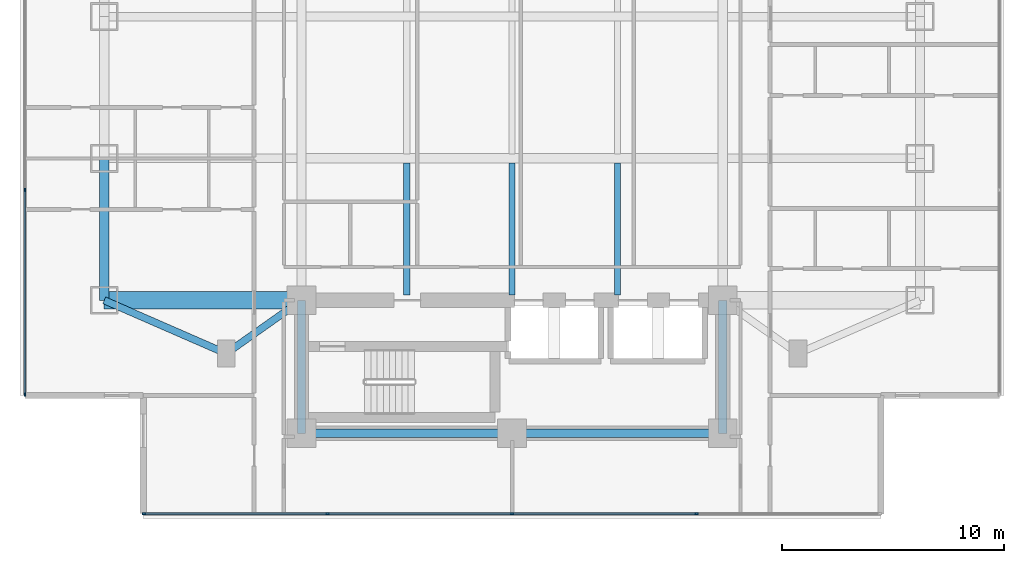
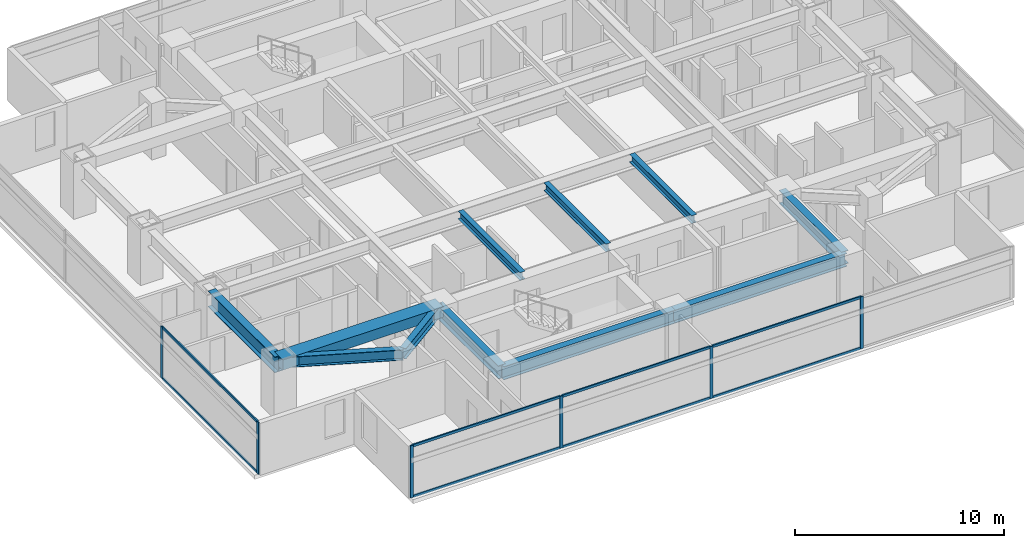
# One storey, part 2 of 24: 14 members, 11 beams, 2 elements without a shape of their own.
"""IFC4 building model written with IfcOpenShell, lengths in metres."""

from ifc_helpers import new_model, si_unit, direction, frame, origin, origin_2d, place, context, subcontext, project, spatial, rectangle, i_section, extrude, material, material_profile, profile_set, type_object, element, aggregate, save


model = new_model("IFC4")

# Units and contexts
model_context = context("Model", 3, precision=1e-05, world=origin(), true_north=direction((0.0, 1.0)))
body_context = subcontext(model_context, "Body", "Model", "MODEL_VIEW")
ifc_project = project(units=[si_unit("LENGTHUNIT", "METRE"), si_unit("AREAUNIT", "SQUARE_METRE"), si_unit("VOLUMEUNIT", "CUBIC_METRE"), si_unit("PLANEANGLEUNIT", "RADIAN"), si_unit("MASSUNIT", "GRAM", prefix="KILO")], contexts=[model_context])

# Site, building, storey
site_placement = place(None, origin())
site = spatial("IfcSite", under=ifc_project, at=site_placement, CompositionType="ELEMENT")
building_placement = place(site_placement, origin())
building = spatial("IfcBuilding", under=site, at=building_placement, Name="Mirazonda Arch Towers", CompositionType="ELEMENT")
storey_placement = place(building_placement, frame((0.0, 0.0, 68.60009765625)))
storey = spatial("IfcBuildingStorey", under=building, at=storey_placement, Name="L19", CompositionType="ELEMENT", Elevation=68.60009765625)

# Beams
ifc_material_1 = material(Name="Steel ASTM A992 Grade 50", Category="steel")
ifc_material_profile_1 = material_profile(ifc_material_1, i_section(OverallWidth=0.41796875, OverallDepth=0.927001953125, WebThickness=0.019287109375, FlangeThickness=0.031982421875, at=origin_2d()), Name="W36X231")
ifc_profile_set_1 = profile_set([ifc_material_profile_1], Name="Steel ASTM A992 Grade 50")
beam_type_1 = type_object("IfcBeamType", Name="BM-EXT-W36X231", PredefinedType="USERDEFINED", material=ifc_profile_set_1)
beam_1_placement = place(storey_placement, frame((2.10009765625, 18.39990234375, 2.596435546875), z_axis=(0.0, 1.0, 0.0), x_axis=(-1.0, 0.0, 0.0)))
element("IfcBeam", 1, at=beam_1_placement, inside=storey, type_object=beam_type_1, Name="L19 Floor Beam BM-T1-L19-NS-W-18", ObjectType="GIRDER", PredefinedType="USERDEFINED", context=body_context, shape_type="SweptSolid", body=[
    extrude(i_section(OverallWidth=0.41796875, OverallDepth=0.927001953125, WebThickness=0.019287109375, FlangeThickness=0.031982421875, at=origin_2d()), origin(), (0.0, 0.0, 1.0), 6.400146484375),
])
ifc_material_profile_2 = material_profile(ifc_material_1, i_section(OverallWidth=0.280029296875, OverallDepth=0.462890625, WebThickness=0.0107421875, FlangeThickness=0.017333984375, at=origin_2d()), Name="W18X76")
ifc_profile_set_2 = profile_set([ifc_material_profile_2], Name="Steel ASTM A992 Grade 50")
beam_type_2 = type_object("IfcBeamType", Name="BM-INT-W18X76", PredefinedType="JOIST", material=ifc_profile_set_2)
for number, where, z_axis, x_axis, name in (
    (2, (15.75, 18.639892578125, 2.828369140625), (0.0, 1.0, 0.0), (-1.0, 0.0, 0.0), "L19 Floor Beam BM-T1-L19-J-157-18"),
    (3, (20.5, 18.639892578125, 2.828369140625), (0.0, 1.0, 0.0), (-1.0, 0.0, 0.0), "L19 Floor Beam BM-T1-L19-J-205-18"),
    (4, (25.25, 18.639892578125, 2.828369140625), (0.0, 1.0, 0.0), (-1.0, 0.0, 0.0), "L19 Floor Beam BM-T1-L19-J-252-18"),
):
    element("IfcBeam", number, at=place(storey_placement, frame(where, z_axis=z_axis, x_axis=x_axis)), inside=storey, type_object=beam_type_2, Name=name, PredefinedType="JOIST", context=body_context, shape_type="SweptSolid", body=[
        extrude(i_section(OverallWidth=0.280029296875, OverallDepth=0.462890625, WebThickness=0.0107421875, FlangeThickness=0.017333984375, at=origin_2d()), origin(), (0.0, 0.0, 1.0), 5.95263671875),
    ])
ifc_material_profile_3 = material_profile(ifc_material_1, i_section(OverallWidth=0.324951171875, OverallDepth=0.615966796875, WebThickness=0.013916015625, FlangeThickness=0.021484375, at=origin_2d()), Name="W24X117")
ifc_profile_set_3 = profile_set([ifc_material_profile_3], Name="Steel ASTM A992 Grade 50")
beam_type_3 = type_object("IfcBeamType", Name="BM-INT-W24X117", PredefinedType="BEAM", material=ifc_profile_set_3)
beam_2_placement = place(storey_placement, frame((7.60009765625, 16.0, 2.751953125), z_axis=(0.816971114901, 0.576678591087, 0.0), x_axis=(-0.576678591087, 0.816971114901, 0.0)))
element("IfcBeam", 5, at=beam_2_placement, inside=storey, type_object=beam_type_3, Name="L19 Floor Beam BM-T1-L19-PL-SW1", PredefinedType="BEAM", context=body_context, shape_type="SweptSolid", body=[
    extrude(i_section(OverallWidth=0.324951171875, OverallDepth=0.615966796875, WebThickness=0.013916015625, FlangeThickness=0.021484375, at=origin_2d()), origin(), (0.0, 0.0, 1.0), 4.16162109375),
])
beam_3_placement = place(storey_placement, frame((7.60009765625, 16.0, 2.751953125), z_axis=(-0.916545343703, 0.399930785183, 0.0), x_axis=(-0.399930785183, -0.916545343703, 0.0)))
element("IfcBeam", 6, at=beam_3_placement, inside=storey, type_object=beam_type_3, Name="L19 Floor Beam BM-T1-L19-PL-SW2", PredefinedType="BEAM", context=body_context, shape_type="SweptSolid", body=[
    extrude(i_section(OverallWidth=0.324951171875, OverallDepth=0.615966796875, WebThickness=0.013916015625, FlangeThickness=0.021484375, at=origin_2d()), origin(), (0.0, 0.0, 1.0), 6.000732421875),
])
ifc_material_profile_4 = material_profile(ifc_material_1, i_section(OverallWidth=0.381103515625, OverallDepth=0.77294921875, WebThickness=0.0166015625, FlangeThickness=0.027099609375, at=origin_2d()), Name="W30X173")
ifc_profile_set_4 = profile_set([ifc_material_profile_4], Name="Steel ASTM A992 Grade 50")
beam_type_4 = type_object("IfcBeamType", Name="BM-INT-W30X173", PredefinedType="USERDEFINED", material=ifc_profile_set_4)
for number, where, z_axis, x_axis, name in (
    (7, (11.0, 12.39990234375, 2.67333984375), (1.0, 0.0, 0.0), (0.0, 1.0, 0.0), "L19 Floor Beam BM-T1-L19-CS1"),
    (8, (20.5, 12.39990234375, 2.67333984375), (1.0, 0.0, 0.0), (0.0, 1.0, 0.0), "L19 Floor Beam BM-T1-L19-CS2"),
):
    element("IfcBeam", number, at=place(storey_placement, frame(where, z_axis=z_axis, x_axis=x_axis)), inside=storey, type_object=beam_type_4, Name=name, ObjectType="GIRDER", PredefinedType="USERDEFINED", context=body_context, shape_type="SweptSolid", body=[
        extrude(i_section(OverallWidth=0.381103515625, OverallDepth=0.77294921875, WebThickness=0.0166015625, FlangeThickness=0.027099609375, at=origin_2d()), origin(), (0.0, 0.0, 1.0), 9.5),
    ])
for number, where, z_axis, x_axis, name in (
    (9, (11.0, 12.39990234375, 2.67333984375), (0.0, 1.0, 0.0), (-1.0, 0.0, 0.0), "L19 Floor Beam BM-T1-L19-CSW"),
    (10, (30.0, 12.39990234375, 2.67333984375), (0.0, 1.0, 0.0), (-1.0, 0.0, 0.0), "L19 Floor Beam BM-T1-L19-CSE"),
):
    element("IfcBeam", number, at=place(storey_placement, frame(where, z_axis=z_axis, x_axis=x_axis)), inside=storey, type_object=beam_type_4, Name=name, ObjectType="GIRDER", PredefinedType="USERDEFINED", context=body_context, shape_type="SweptSolid", body=[
        extrude(i_section(OverallWidth=0.381103515625, OverallDepth=0.77294921875, WebThickness=0.0166015625, FlangeThickness=0.027099609375, at=origin_2d()), origin(), (0.0, 0.0, 1.0), 6.0),
    ])
ifc_material_2 = material(Name="Concrete C60/75", Category="concrete")
ifc_material_profile_5 = material_profile(ifc_material_2, rectangle(XDim=0.800048828125, YDim=0.60009765625, at=origin_2d()), Name="RCCB800x600")
ifc_profile_set_5 = profile_set([ifc_material_profile_5], Name="Concrete C60/75")
beam_type_5 = type_object("IfcBeamType", Name="CB-INT-RCCB800x600", PredefinedType="SPANDREL", material=ifc_profile_set_5)
beam_4_placement = place(storey_placement, frame((2.10009765625, 18.39990234375, 2.760009765625), z_axis=(1.0, 0.0, 0.0), x_axis=(0.0, 1.0, 0.0)))
element("IfcBeam", 11, at=beam_4_placement, inside=storey, type_object=beam_type_5, Name="L19 Floor Beam CBC-T1-L19-SW", PredefinedType="SPANDREL", context=body_context, shape_type="SweptSolid", body=[
    extrude(rectangle(XDim=0.800048828125, YDim=0.60009765625, at=origin_2d()), origin(), (0.0, 0.0, 1.0), 8.89990234375),
])

# Curtain wall, members
ifc_material_3 = material(Name="Anodised Aluminium and Low-E Glass", Category="aluminium")
curtain_wall_type = type_object("IfcCurtainWallType", Name="CW-HTL-UNIT", PredefinedType="NOTDEFINED", material=ifc_material_3)
curtain_wall_1_placement = place(storey_placement, origin())
curtain_wall_1 = element("IfcCurtainWall", 12, at=curtain_wall_1_placement, inside=storey, type_object=curtain_wall_type, Name="L19 T1 S Facade CW-L19-T1-S", PredefinedType="NOTDEFINED")
ifc_material_4 = material(Name="Anodised Aluminium Alloy", Category="aluminium")
ifc_material_profile_6 = material_profile(ifc_material_4, rectangle(XDim=0.074951171875, YDim=0.1650390625, at=origin_2d()), Name="ALU-MULL-75x165")
ifc_profile_set_6 = profile_set([ifc_material_profile_6], Name="Anodised Aluminium Alloy")
member_type_1 = type_object("IfcMemberType", Name="MULL-CW-HTL-UNIT", PredefinedType="MULLION", material=ifc_profile_set_6)
member_1_placement = place(storey_placement, frame((28.820068359375, 8.77001953125, 0.0), z_axis=(0.0, 0.0, 1.0), x_axis=(0.0, -1.0, 0.0)))
member_1 = element("IfcMember", 13, at=member_1_placement, type_object=member_type_1, Name="CW-112 mullion 2", PredefinedType="MULLION", context=body_context, shape_type="SweptSolid", body=[
    extrude(rectangle(XDim=0.074951171875, YDim=0.1650390625, at=origin_2d()), origin(), (0.0, 0.0, 1.0), 3.039794921875),
])
member_2_placement = place(storey_placement, frame((20.5, 8.77001953125, 0.0), z_axis=(0.0, 0.0, 1.0), x_axis=(0.0, -1.0, 0.0)))
member_2 = element("IfcMember", 14, at=member_2_placement, type_object=member_type_1, Name="CW-112 mullion 3", PredefinedType="MULLION", context=body_context, shape_type="SweptSolid", body=[
    extrude(rectangle(XDim=0.074951171875, YDim=0.1650390625, at=origin_2d()), origin(), (0.0, 0.0, 1.0), 3.039794921875),
])
member_3_placement = place(storey_placement, frame((12.179931640625, 8.77001953125, 0.0), z_axis=(0.0, 0.0, 1.0), x_axis=(0.0, -1.0, 0.0)))
member_3 = element("IfcMember", 15, at=member_3_placement, type_object=member_type_1, Name="CW-112 mullion 4", PredefinedType="MULLION", context=body_context, shape_type="SweptSolid", body=[
    extrude(rectangle(XDim=0.074951171875, YDim=0.1650390625, at=origin_2d()), origin(), (0.0, 0.0, 1.0), 3.039794921875),
])
member_4_placement = place(storey_placement, frame((3.8974609375, 8.77001953125, 0.0), z_axis=(0.0, 0.0, 1.0), x_axis=(0.0, -1.0, 0.0)))
member_4 = element("IfcMember", 16, at=member_4_placement, type_object=member_type_1, Name="CW-112 mullion 5", PredefinedType="MULLION", context=body_context, shape_type="SweptSolid", body=[
    extrude(rectangle(XDim=0.074951171875, YDim=0.1650390625, at=origin_2d()), origin(), (0.0, 0.0, 1.0), 3.039794921875),
])

curtain_wall_2_placement = place(storey_placement, origin())
curtain_wall_2 = element("IfcCurtainWall", 17, at=curtain_wall_2_placement, inside=storey, type_object=curtain_wall_type, Name="L19 T1 W Facade CW-L19-T1-W", PredefinedType="NOTDEFINED")
member_5_placement = place(storey_placement, frame((-1.47998046875, 23.3701171875, 0.0), z_axis=(0.0, 0.0, 1.0), x_axis=(1.0, 0.0, 0.0)))
member_5 = element("IfcMember", 18, at=member_5_placement, type_object=member_type_1, Name="CW-112 mullion 3", PredefinedType="MULLION", context=body_context, shape_type="SweptSolid", body=[
    extrude(rectangle(XDim=0.074951171875, YDim=0.1650390625, at=origin_2d()), origin(), (0.0, 0.0, 1.0), 3.039794921875),
])
member_6_placement = place(storey_placement, frame((-1.47998046875, 14.1474609375, 0.0), z_axis=(0.0, 0.0, 1.0), x_axis=(1.0, 0.0, 0.0)))
member_6 = element("IfcMember", 19, at=member_6_placement, type_object=member_type_1, Name="CW-112 mullion 4", PredefinedType="MULLION", context=body_context, shape_type="SweptSolid", body=[
    extrude(rectangle(XDim=0.074951171875, YDim=0.1650390625, at=origin_2d()), origin(), (0.0, 0.0, 1.0), 3.039794921875),
])

# Member
ifc_material_profile_7 = material_profile(ifc_material_4, rectangle(XDim=0.074951171875, YDim=0.14501953125, at=origin_2d()), Name="ALU-TRAN-75x145")
ifc_profile_set_7 = profile_set([ifc_material_profile_7], Name="Anodised Aluminium Alloy")
member_type_2 = type_object("IfcMemberType", Name="TRAN-CW-HTL-UNIT", PredefinedType="USERDEFINED", material=ifc_profile_set_7)
member_7_placement = place(storey_placement, frame((28.782470703125, 8.77001953125, 0.037353515625), z_axis=(-1.0, 0.0, 0.0), x_axis=(0.0, -1.0, 0.0)))
member_7 = element("IfcMember", 20, at=member_7_placement, type_object=member_type_2, Name="CW-112 transom 2.1", ObjectType="TRANSOM", PredefinedType="USERDEFINED", context=body_context, shape_type="SweptSolid", body=[
    extrude(rectangle(XDim=0.074951171875, YDim=0.14501953125, at=origin_2d()), origin(), (0.0, 0.0, 1.0), 8.244873046875),
])

member_8_placement = place(storey_placement, frame((28.782470703125, 8.77001953125, 3.00244140625), z_axis=(-1.0, 0.0, 0.0), x_axis=(0.0, -1.0, 0.0)))
member_8 = element("IfcMember", 21, at=member_8_placement, type_object=member_type_2, Name="CW-112 transom 2.2", ObjectType="TRANSOM", PredefinedType="USERDEFINED", context=body_context, shape_type="SweptSolid", body=[
    extrude(rectangle(XDim=0.074951171875, YDim=0.14501953125, at=origin_2d()), origin(), (0.0, 0.0, 1.0), 8.244873046875),
])

member_9_placement = place(storey_placement, frame((20.46240234375, 8.77001953125, 0.037353515625), z_axis=(-1.0, 0.0, 0.0), x_axis=(0.0, -1.0, 0.0)))
member_9 = element("IfcMember", 22, at=member_9_placement, type_object=member_type_2, Name="CW-112 transom 3.1", ObjectType="TRANSOM", PredefinedType="USERDEFINED", context=body_context, shape_type="SweptSolid", body=[
    extrude(rectangle(XDim=0.074951171875, YDim=0.14501953125, at=origin_2d()), origin(), (0.0, 0.0, 1.0), 8.244873046875),
])

member_10_placement = place(storey_placement, frame((20.46240234375, 8.77001953125, 3.00244140625), z_axis=(-1.0, 0.0, 0.0), x_axis=(0.0, -1.0, 0.0)))
member_10 = element("IfcMember", 23, at=member_10_placement, type_object=member_type_2, Name="CW-112 transom 3.2", ObjectType="TRANSOM", PredefinedType="USERDEFINED", context=body_context, shape_type="SweptSolid", body=[
    extrude(rectangle(XDim=0.074951171875, YDim=0.14501953125, at=origin_2d()), origin(), (0.0, 0.0, 1.0), 8.244873046875),
])

member_11_placement = place(storey_placement, frame((12.142578125, 8.77001953125, 0.037353515625), z_axis=(-1.0, 0.0, 0.0), x_axis=(0.0, -1.0, 0.0)))
member_11 = element("IfcMember", 24, at=member_11_placement, type_object=member_type_2, Name="CW-112 transom 4.1", ObjectType="TRANSOM", PredefinedType="USERDEFINED", context=body_context, shape_type="SweptSolid", body=[
    extrude(rectangle(XDim=0.074951171875, YDim=0.14501953125, at=origin_2d()), origin(), (0.0, 0.0, 1.0), 8.20751953125),
])

member_12_placement = place(storey_placement, frame((12.142578125, 8.77001953125, 3.00244140625), z_axis=(-1.0, 0.0, 0.0), x_axis=(0.0, -1.0, 0.0)))
member_12 = element("IfcMember", 25, at=member_12_placement, type_object=member_type_2, Name="CW-112 transom 4.2", ObjectType="TRANSOM", PredefinedType="USERDEFINED", context=body_context, shape_type="SweptSolid", body=[
    extrude(rectangle(XDim=0.074951171875, YDim=0.14501953125, at=origin_2d()), origin(), (0.0, 0.0, 1.0), 8.20751953125),
])

aggregate(curtain_wall_1, [member_1, member_2, member_3, member_4, member_7, member_8, member_9, member_10, member_11, member_12])

member_13_placement = place(storey_placement, frame((-1.47998046875, 23.33251953125, 0.037353515625), z_axis=(0.0, -1.0, 0.0), x_axis=(1.0, 0.0, 0.0)))
member_13 = element("IfcMember", 26, at=member_13_placement, type_object=member_type_2, Name="CW-112 transom 3.1", ObjectType="TRANSOM", PredefinedType="USERDEFINED", context=body_context, shape_type="SweptSolid", body=[
    extrude(rectangle(XDim=0.074951171875, YDim=0.14501953125, at=origin_2d()), origin(), (0.0, 0.0, 1.0), 9.1474609375),
])

member_14_placement = place(storey_placement, frame((-1.47998046875, 23.33251953125, 3.00244140625), z_axis=(0.0, -1.0, 0.0), x_axis=(1.0, 0.0, 0.0)))
member_14 = element("IfcMember", 27, at=member_14_placement, type_object=member_type_2, Name="CW-112 transom 3.2", ObjectType="TRANSOM", PredefinedType="USERDEFINED", context=body_context, shape_type="SweptSolid", body=[
    extrude(rectangle(XDim=0.074951171875, YDim=0.14501953125, at=origin_2d()), origin(), (0.0, 0.0, 1.0), 9.1474609375),
])

aggregate(curtain_wall_2, [member_5, member_6, member_13, member_14])

save(model, "model.ifc")
